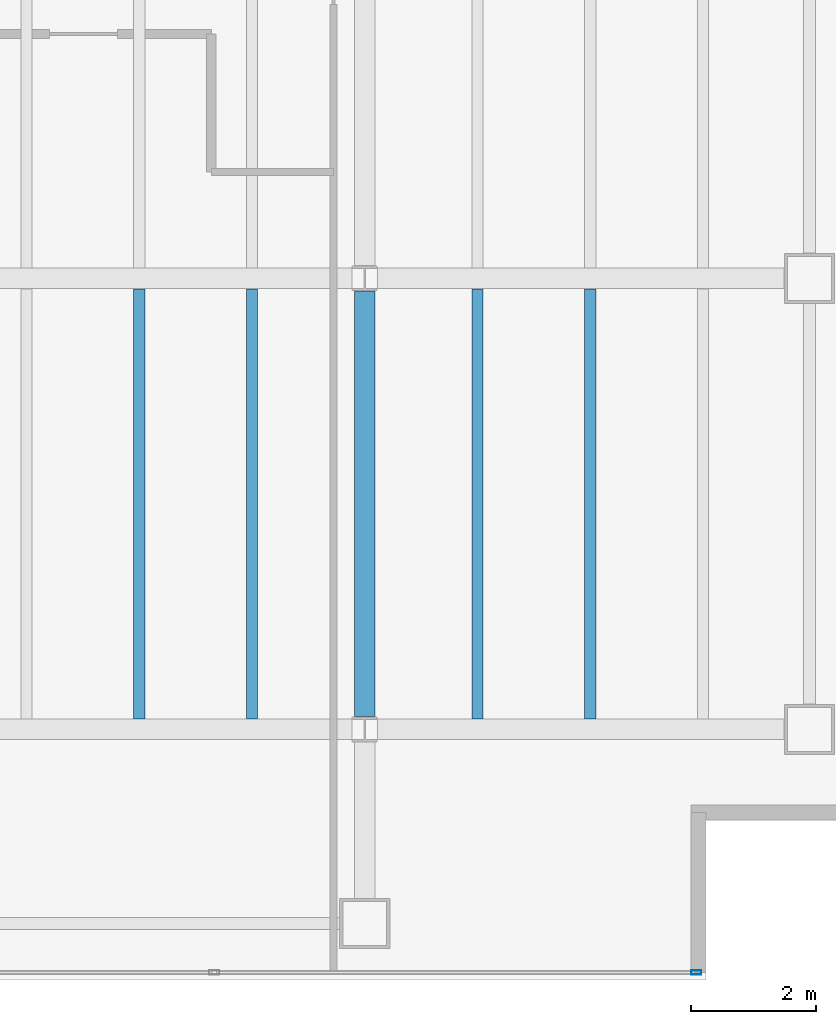
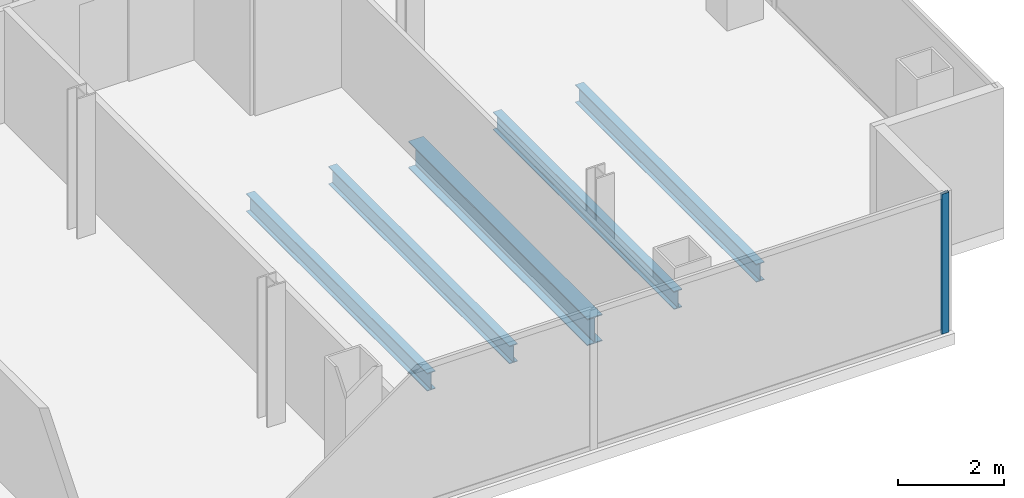
# One storey, part 11 of 23: 5 beams, 1 member, 1 element without a shape of its own.
"""IFC4 building model written with IfcOpenShell, lengths in metres."""

from ifc_helpers import new_model, si_unit, direction, frame, origin, origin_2d, place, context, subcontext, project, spatial, hollow_rectangle, i_section, extrude, material, material_profile, profile_set, type_object, element, aggregate, save


model = new_model("IFC4")

# Units and contexts
model_context = context("Model", 3, precision=1e-05, world=origin(), true_north=direction((0.0, 1.0)))
body_context = subcontext(model_context, "Body", "Model", "MODEL_VIEW")
ifc_project = project(units=[si_unit("LENGTHUNIT", "METRE"), si_unit("AREAUNIT", "SQUARE_METRE"), si_unit("VOLUMEUNIT", "CUBIC_METRE"), si_unit("PLANEANGLEUNIT", "RADIAN"), si_unit("MASSUNIT", "GRAM", prefix="KILO")], contexts=[model_context])

# Site, building, storey
site_placement = place(None, origin())
site = spatial("IfcSite", under=ifc_project, at=site_placement, CompositionType="ELEMENT")
building_placement = place(site_placement, origin())
building = spatial("IfcBuilding", under=site, at=building_placement, Name="Cobrela Telecom Tower", CompositionType="ELEMENT")
storey_placement = place(building_placement, frame((0.0, 0.0, 194.25)))
storey = spatial("IfcBuildingStorey", under=building, at=storey_placement, Name="L49", CompositionType="ELEMENT", Elevation=194.25)

# Beams
ifc_material_1 = material(Name="Steel ASTM A992 Grade 50", Category="steel")
ifc_material_profile_1 = material_profile(ifc_material_1, i_section(OverallWidth=0.327880859375, OverallDepth=0.6220703125, WebThickness=0.015380859375, FlangeThickness=0.0244140625, FilletRadius=0.014892578125, at=origin_2d()), Name="W24X131")
ifc_profile_set_1 = profile_set([ifc_material_profile_1], Name="Steel ASTM A992 Grade 50")
beam_type_1 = type_object("IfcBeamType", Name="BM-GIRD-06", PredefinedType="USERDEFINED", material=ifc_profile_set_1)
beam_placement = place(storey_placement, frame((36.0, 7.404541015625, -0.571044921875), z_axis=(0.0, 1.0, 0.0), x_axis=(-1.0, 0.0, 0.0)))
element("IfcBeam", 1, at=beam_placement, inside=storey, type_object=beam_type_1, Name="L49 Primary Girder Y40", ObjectType="GIRDER", PredefinedType="USERDEFINED", context=body_context, shape_type="SweptSolid", body=[
    extrude(i_section(OverallWidth=0.327880859375, OverallDepth=0.6220703125, WebThickness=0.015380859375, FlangeThickness=0.0244140625, FilletRadius=0.014892578125, at=origin_2d()), origin(), (0.0, 0.0, 1.0), 6.791015625),
])
ifc_material_profile_2 = material_profile(ifc_material_1, i_section(OverallWidth=0.179931640625, OverallDepth=0.4169921875, WebThickness=0.010986328125, FlangeThickness=0.01806640625, FilletRadius=0.011962890625, at=origin_2d()), Name="W16X57")
ifc_profile_set_2 = profile_set([ifc_material_profile_2], Name="Steel ASTM A992 Grade 50")
beam_type_2 = type_object("IfcBeamType", Name="BM-JOIST-04", PredefinedType="JOIST", material=ifc_profile_set_2)
for number, where, z_axis, x_axis, name in (
    (2, (32.39990234375, 7.368896484375, -0.468505859375), (0.0, 1.0, 0.0), (-1.0, 0.0, 0.0), "L49 Secondary Composite Floor Beam J21"),
    (3, (34.199951171875, 7.368896484375, -0.468505859375), (0.0, 1.0, 0.0), (-1.0, 0.0, 0.0), "L49 Secondary Composite Floor Beam J23"),
    (4, (37.800048828125, 7.368896484375, -0.468505859375), (0.0, 1.0, 0.0), (-1.0, 0.0, 0.0), "L49 Secondary Composite Floor Beam J25"),
    (5, (39.60009765625, 7.368896484375, -0.468505859375), (0.0, 1.0, 0.0), (-1.0, 0.0, 0.0), "L49 Secondary Composite Floor Beam J27"),
):
    element("IfcBeam", number, at=place(storey_placement, frame(where, z_axis=z_axis, x_axis=x_axis)), inside=storey, type_object=beam_type_2, Name=name, PredefinedType="JOIST", context=body_context, shape_type="SweptSolid", body=[
        extrude(i_section(OverallWidth=0.179931640625, OverallDepth=0.4169921875, WebThickness=0.010986328125, FlangeThickness=0.01806640625, FilletRadius=0.011962890625, at=origin_2d()), origin(), (0.0, 0.0, 1.0), 6.862060546875),
    ])

# Curtain wall, member
ifc_material_2 = material(Name="Anodized Bronze Aluminium 6063-T6", Category="aluminium")
curtain_wall_type = type_object("IfcCurtainWallType", Name="CW-SYS-OFF-LO", PredefinedType="USERDEFINED", material=ifc_material_2)
curtain_wall_placement = place(storey_placement, origin())
curtain_wall = element("IfcCurtainWall", 6, at=curtain_wall_placement, inside=storey, type_object=curtain_wall_type, Name="L49 Unitised Bronze Curtain Wall 17", ObjectType="UNITISED CURTAIN WALL", PredefinedType="USERDEFINED")
ifc_material_profile_3 = material_profile(ifc_material_2, hollow_rectangle(XDim=0.070068359375, YDim=0.159912109375, WallThickness=0.00390625, at=origin_2d()), Name="ALU 70x160x4")
ifc_profile_set_3 = profile_set([ifc_material_profile_3], Name="Anodized Bronze Aluminium 6063-T6")
member_type = type_object("IfcMemberType", Name="CW-SYS-OFF-LO-MUL", PredefinedType="MULLION", material=ifc_profile_set_3)
member_placement = place(storey_placement, frame((41.294921875, 3.320068359375, 0.0), z_axis=(0.0, 0.0, 1.0), x_axis=(0.0, -1.0, 0.0)))
member = element("IfcMember", 7, at=member_placement, type_object=member_type, Name="CW-OFF-LO mullion 1", PredefinedType="MULLION", context=body_context, shape_type="SweptSolid", body=[
    extrude(hollow_rectangle(XDim=0.070068359375, YDim=0.159912109375, WallThickness=0.00390625, at=origin_2d()), origin(), (0.0, 0.0, 1.0), 3.239990234375),
])
aggregate(curtain_wall, [member])

save(model, "model.ifc")
